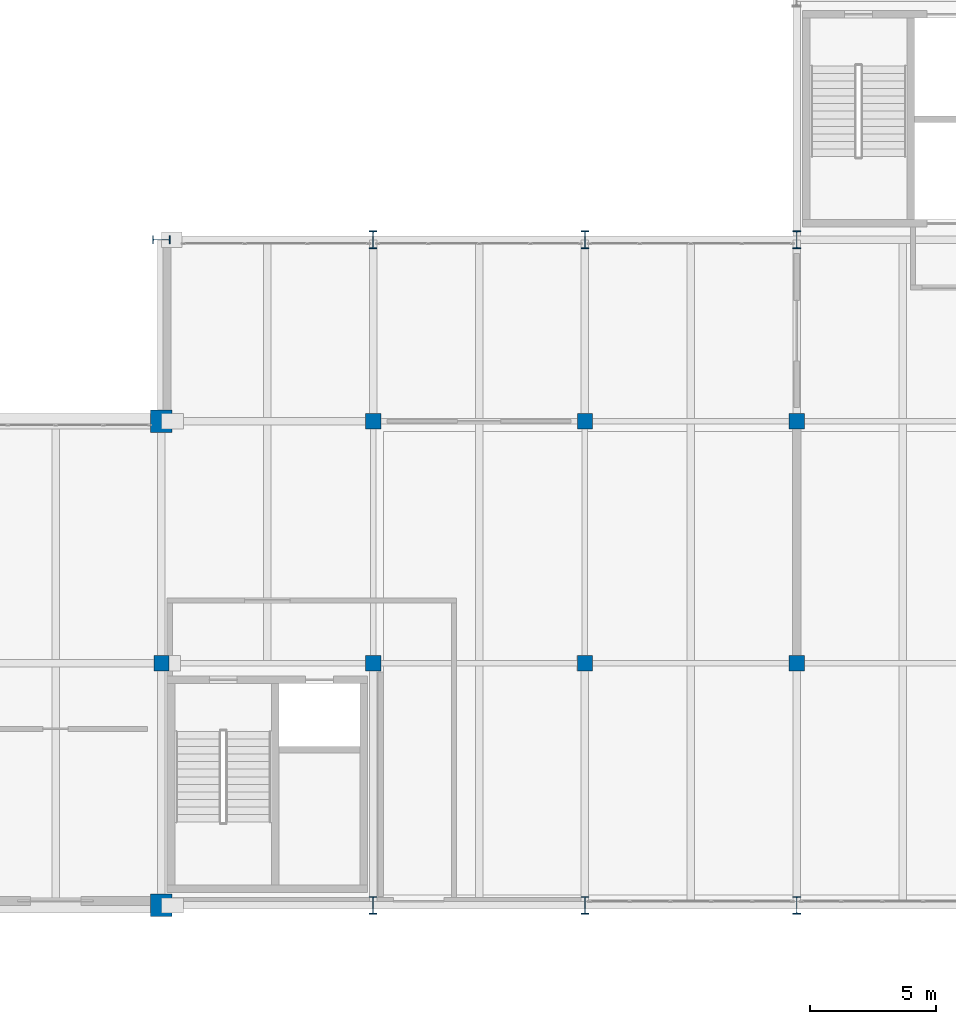
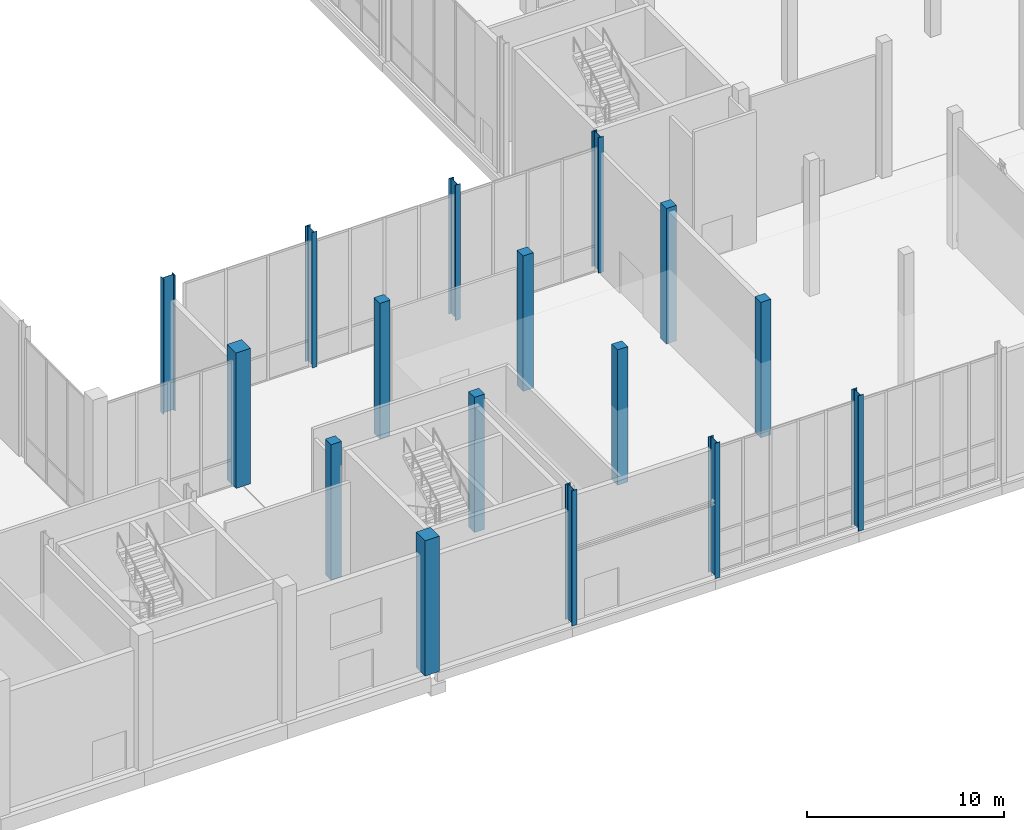
# One storey, part 6 of 131: 16 columns.
"""IFC4 building model written with IfcOpenShell, lengths in metres."""

from ifc_helpers import new_model, si_unit, direction, frame, origin, origin_2d, place, context, subcontext, project, spatial, rectangle, i_section, extrude, material, material_profile, profile_set, type_object, element, save


model = new_model("IFC4")

# Units and contexts
model_context = context("Model", 3, precision=1e-05, world=origin(), true_north=direction((0.0, 1.0)))
body_context = subcontext(model_context, "Body", "Model", "MODEL_VIEW")
ifc_project = project(units=[si_unit("LENGTHUNIT", "METRE"), si_unit("AREAUNIT", "SQUARE_METRE"), si_unit("VOLUMEUNIT", "CUBIC_METRE"), si_unit("PLANEANGLEUNIT", "RADIAN"), si_unit("MASSUNIT", "GRAM", prefix="KILO")], contexts=[model_context])

# Site, building, storey
site_placement = place(None, origin())
site = spatial("IfcSite", under=ifc_project, at=site_placement, CompositionType="ELEMENT")
building_placement = place(site_placement, origin())
building = spatial("IfcBuilding", under=site, at=building_placement, Name="Veltarok Museum of Natural Sciences", CompositionType="ELEMENT")
storey_placement = place(building_placement, origin())
storey = spatial("IfcBuildingStorey", under=building, at=storey_placement, Name="L00", CompositionType="ELEMENT", Elevation=0.0)

# Columns
ifc_material_1 = material(Name="Concrete C40/50", Category="concrete")
ifc_material_profile_1 = material_profile(ifc_material_1, rectangle(XDim=0.60009765625, YDim=0.60009765625, at=origin_2d()), Name="RC 600x600")
ifc_profile_set_1 = profile_set([ifc_material_profile_1], Name="Concrete C40/50")
column_type_1 = type_object("IfcColumnType", Name="Conservation Wing Column RC 600x600", PredefinedType="COLUMN", material=ifc_profile_set_1)
for number, where, z_axis, x_axis, name in (
    (1, (107.199951171875, 9.60009765625, 0.0), (0.0, 0.0, 1.0), (0.0, 1.0, 0.0), "Column COL-RC02 L00 13/B"),
    (2, (115.60009765625, 9.60009765625, 0.0), (0.0, 0.0, 1.0), (1.0, 0.0, 0.0), "Column COL-RC02 L00 14/B"),
    (3, (115.60009765625, 19.199951171875, 0.0), (0.0, 0.0, 1.0), (1.0, 0.0, 0.0), "Column COL-RC02 L00 14/C"),
    (4, (124.0, 9.60009765625, 0.0), (0.0, 0.0, 1.0), (1.0, 0.0, 0.0), "Column COL-RC02 L00 15/B"),
    (5, (124.0, 19.199951171875, 0.0), (0.0, 0.0, 1.0), (1.0, 0.0, 0.0), "Column COL-RC02 L00 15/C"),
    (6, (132.39990234375, 9.60009765625, 0.0), (0.0, 0.0, 1.0), (1.0, 0.0, 0.0), "Column COL-RC02 L00 16/B"),
    (7, (132.39990234375, 19.199951171875, 0.0), (0.0, 0.0, 1.0), (1.0, 0.0, 0.0), "Column COL-RC02 L00 16/C"),
):
    element("IfcColumn", number, at=place(storey_placement, frame(where, z_axis=z_axis, x_axis=x_axis)), inside=storey, type_object=column_type_1, Name=name, PredefinedType="COLUMN", context=body_context, shape_type="SweptSolid", body=[
        extrude(rectangle(XDim=0.60009765625, YDim=0.60009765625, at=origin_2d()), origin(), (0.0, 0.0, 1.0), 8.39990234375),
    ])
ifc_material_profile_2 = material_profile(ifc_material_1, rectangle(XDim=0.85009765625, YDim=0.89990234375, at=origin_2d()), Name="RC 850x900")
ifc_profile_set_2 = profile_set([ifc_material_profile_2], Name="Concrete C40/50")
column_type_2 = type_object("IfcColumnType", Name="Exposed Cabinet Grid Column RC 850x900", PredefinedType="COLUMN", material=ifc_profile_set_2)
for number, where, z_axis, x_axis, name in (
    (8, (107.199951171875, 0.0, 0.0), (0.0, 0.0, 1.0), (1.0, 0.0, 0.0), "Column COL-CAB01 L00 13/A"),
    (9, (107.199951171875, 19.199951171875, 0.0), (0.0, 0.0, 1.0), (1.0, 0.0, 0.0), "Column COL-CAB01 L00 13/C"),
):
    element("IfcColumn", number, at=place(storey_placement, frame(where, z_axis=z_axis, x_axis=x_axis)), inside=storey, type_object=column_type_2, Name=name, PredefinedType="COLUMN", context=body_context, shape_type="SweptSolid", body=[
        extrude(rectangle(XDim=0.85009765625, YDim=0.89990234375, at=origin_2d()), origin(), (0.0, 0.0, 1.0), 8.39990234375),
    ])
ifc_material_2 = material(Name="Steel S355J2", Category="steel")
ifc_material_profile_3 = material_profile(ifc_material_2, i_section(OverallWidth=0.300048828125, OverallDepth=0.699951171875, WebThickness=0.01708984375, FlangeThickness=0.031982421875, FilletRadius=0.027099609375, at=origin_2d()), Name="HEB 700")
ifc_profile_set_3 = profile_set([ifc_material_profile_3], Name="Steel S355J2")
column_type_3 = type_object("IfcColumnType", Name="Perimeter Steel Column HEB 700", PredefinedType="COLUMN", material=ifc_profile_set_3)
for number, where, z_axis, x_axis, name in (
    (10, (107.199951171875, 26.39990234375, 0.0), (0.0, 0.0, 1.0), (0.0, 1.0, 0.0), "Column COL-EXT01 L00 13/D"),
    (11, (115.60009765625, 0.0, 0.0), (0.0, 0.0, 1.0), (1.0, 0.0, 0.0), "Column COL-EXT01 L00 14/A"),
    (12, (115.60009765625, 26.39990234375, 0.0), (0.0, 0.0, 1.0), (1.0, 0.0, 0.0), "Column COL-EXT01 L00 14/D"),
    (13, (124.0, 0.0, 0.0), (0.0, 0.0, 1.0), (1.0, 0.0, 0.0), "Column COL-EXT01 L00 15/A"),
    (14, (124.0, 26.39990234375, 0.0), (0.0, 0.0, 1.0), (1.0, 0.0, 0.0), "Column COL-EXT01 L00 15/D"),
    (15, (132.39990234375, 0.0, 0.0), (0.0, 0.0, 1.0), (1.0, 0.0, 0.0), "Column COL-EXT01 L00 16/A"),
    (16, (132.39990234375, 26.39990234375, 0.0), (0.0, 0.0, 1.0), (1.0, 0.0, 0.0), "Column COL-EXT01 L00 16/D"),
):
    element("IfcColumn", number, at=place(storey_placement, frame(where, z_axis=z_axis, x_axis=x_axis)), inside=storey, type_object=column_type_3, Name=name, PredefinedType="COLUMN", context=body_context, shape_type="SweptSolid", body=[
        extrude(i_section(OverallWidth=0.300048828125, OverallDepth=0.699951171875, WebThickness=0.01708984375, FlangeThickness=0.031982421875, FilletRadius=0.027099609375, at=origin_2d()), origin(), (0.0, 0.0, 1.0), 8.39990234375),
    ])

save(model, "model.ifc")
